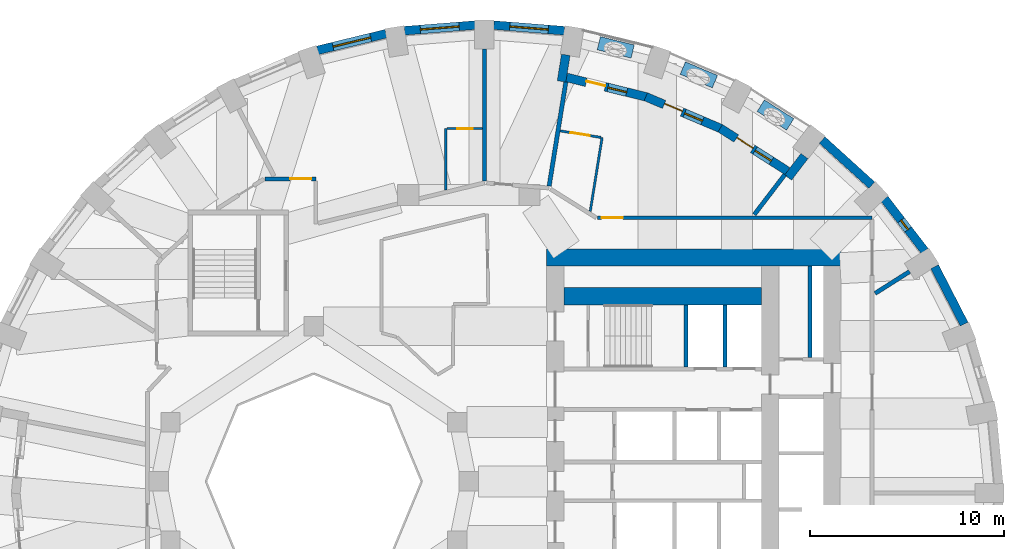
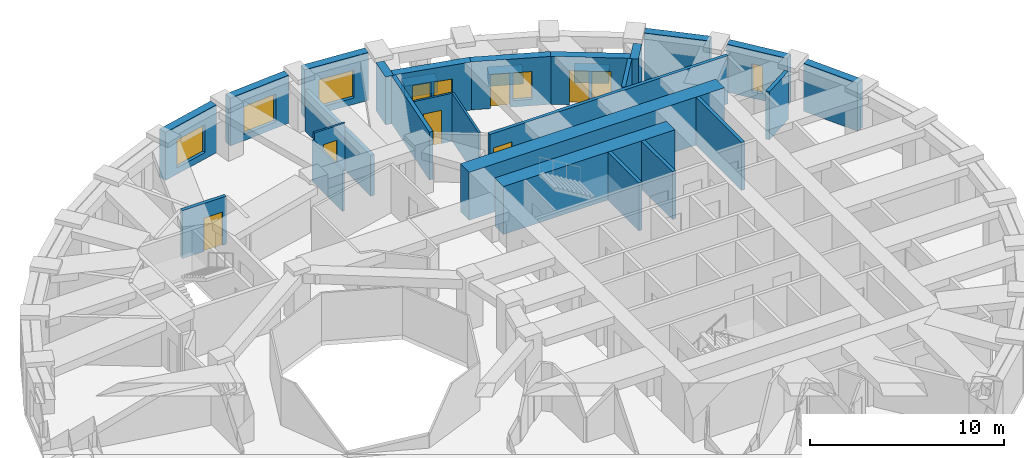
# One storey, part 8 of 12: 29 walls, 7 doors, 7 windows, 14 openings.
"""IFC4 building model written with IfcOpenShell, lengths in metres."""

import ifcopenshell
import ifcopenshell.guid

model = None  # the IFC model being written
_history = None  # IfcOwnerHistory: only IFC2X3 demands one
_inside = {}  # id of a spatial element -> (the spatial element, [elements in it])
_under = {}  # id of a project, library or spatial element -> (it, [spatial elements below it])
_declared = {}  # id of a project -> (the project, [libraries it declares])
_typed = {}  # id of a type object -> (the type object, [elements of that type])
_made_of = {}  # id of a material, layer set ... -> (it, [elements and type objects made of it])


def new_model(schema):
    """Start an empty IFC model of exactly this schema.

    Asked for "IFC4X3", IfcOpenShell would pick the latest addendum, in which some entities
    have other attributes; the version numbers below select the first issue.
    IFC2X3 requires an IfcOwnerHistory on every rooted entity: one is made here for all.
    """
    global model, _history
    if schema == "IFC4X3":
        model = ifcopenshell.file(schema_version=(4, 3, 0, 0))
    else:
        model = ifcopenshell.file(schema=schema)
    _inside.clear()
    _under.clear()
    _declared.clear()
    _typed.clear()
    _made_of.clear()
    _history = None
    if model.schema == "IFC2X3":
        org = make("IfcOrganization", Name="unknown")
        user = make(
            "IfcPersonAndOrganization",
            ThePerson=make("IfcPerson", FamilyName="unknown"),
            TheOrganization=org,
        )
        app = make(
            "IfcApplication",
            ApplicationDeveloper=org,
            Version="unknown",
            ApplicationFullName="unknown",
            ApplicationIdentifier="unknown",
        )
        _history = make(
            "IfcOwnerHistory",
            OwningUser=user,
            OwningApplication=app,
            ChangeAction="ADDED",
            CreationDate=0,
        )
    return model


def make(cls, **values):
    """One entity of the class cls with the attributes given. An attribute that is None is left unset."""
    return model.create_entity(
        cls, **{name: value for name, value in values.items() if value is not None}
    )


def rooted(cls, **values):
    """An entity with a GlobalId (a new one), such as an element, a storey or a relation."""
    return make(cls, GlobalId=ifcopenshell.guid.new(), OwnerHistory=_history, **values)


def si_unit(unit_type, name, prefix=None):
    """IfcSIUnit, for example si_unit("LENGTHUNIT", "METRE", prefix="MILLI")."""
    return make("IfcSIUnit", UnitType=unit_type, Prefix=prefix, Name=name)


def assignment(units):
    """IfcUnitAssignment: the units of a project."""
    return None if units is None else make("IfcUnitAssignment", Units=units)


def point(xyz):
    """IfcCartesianPoint."""
    return None if xyz is None else make("IfcCartesianPoint", Coordinates=xyz)


def direction(xyz):
    """IfcDirection."""
    return None if xyz is None else make("IfcDirection", DirectionRatios=xyz)


def frame(location, z_axis=None, x_axis=None):
    """IfcAxis2Placement3D, a coordinate frame: its origin and axes. An axis left out is left unset."""
    return make(
        "IfcAxis2Placement3D",
        Location=point(location),
        Axis=direction(z_axis),
        RefDirection=direction(x_axis),
    )


def frame_2d(location, x_axis=None):
    """IfcAxis2Placement2D, a coordinate frame in the plane: its origin and x axis."""
    return make(
        "IfcAxis2Placement2D", Location=point(location), RefDirection=direction(x_axis)
    )


def origin():
    """The frame at (0, 0, 0) with its axes left unset."""
    return frame((0.0, 0.0, 0.0))


def place(relative_to, where):
    """IfcLocalPlacement: puts the frame where relative to a parent placement (None: the world)."""
    return make(
        "IfcLocalPlacement", PlacementRelTo=relative_to, RelativePlacement=where
    )


def context(
    kind, dimensions, precision=None, world=None, true_north=None, identifier=None
):
    """IfcGeometricRepresentationContext, for example the 3D "Model" context."""
    return make(
        "IfcGeometricRepresentationContext",
        ContextIdentifier=identifier,
        ContextType=kind,
        CoordinateSpaceDimension=dimensions,
        Precision=precision,
        WorldCoordinateSystem=world,
        TrueNorth=true_north,
    )


def subcontext(parent, identifier, kind, view, scale=None):
    """IfcGeometricRepresentationSubContext, for example "Body" below "Model"."""
    return make(
        "IfcGeometricRepresentationSubContext",
        ContextIdentifier=identifier,
        ContextType=kind,
        ParentContext=parent,
        TargetScale=scale,
        TargetView=view,
    )


def project(units=None, contexts=None):
    """IfcProject with its units and contexts."""
    return rooted(
        "IfcProject",
        Name="project",
        RepresentationContexts=contexts,
        UnitsInContext=assignment(units),
    )


def spatial(cls, under=None, at=None, **own):
    """A site, building, storey or space (cls), placed at a placement, below another one or the project."""
    s = rooted(cls, ObjectPlacement=at, **own)
    if under is not None:
        _under.setdefault(under.id(), (under, []))[1].append(s)
    return s


def profile(cls, at=None, kind="AREA", **sizes):
    """A parametric profile (cls). Its sizes go by their IFC names, for example OverallWidth=200.0."""
    return make(cls, ProfileType=kind, Position=at, **sizes)


def rectangle(**sizes):
    """IfcRectangleProfileDef."""
    return profile("IfcRectangleProfileDef", **sizes)


def extrude(swept, where, along, depth):
    """IfcExtrudedAreaSolid: the profile swept, set in the frame where, extruded along a direction by depth."""
    return make(
        "IfcExtrudedAreaSolid",
        SweptArea=swept,
        Position=where,
        ExtrudedDirection=direction(along),
        Depth=depth,
    )


def shape(context_of_items, identifier, shape_type, items):
    """IfcShapeRepresentation: the items that make up one representation, for example the "Body"."""
    return make(
        "IfcShapeRepresentation",
        ContextOfItems=context_of_items,
        RepresentationIdentifier=identifier,
        RepresentationType=shape_type,
        Items=items,
    )


def material(Name=None, Category=None):
    """IfcMaterial."""
    return make("IfcMaterial", Name=Name, Category=Category)


def layer(
    of_material, thickness, ventilated=None, Name=None, Category=None, Priority=None
):
    """IfcMaterialLayer: one layer of a wall or slab, of a material (None: an air gap)."""
    return make(
        "IfcMaterialLayer",
        Material=of_material,
        LayerThickness=thickness,
        IsVentilated=ventilated,
        Name=Name,
        Category=Category,
        Priority=Priority,
    )


def layer_set(layers, Name=None):
    """IfcMaterialLayerSet."""
    return make("IfcMaterialLayerSet", MaterialLayers=layers, LayerSetName=Name)


def constituent(of_material, Name=None, Category=None, fraction=None):
    """IfcMaterialConstituent: one of the materials an element consists of."""
    return make(
        "IfcMaterialConstituent",
        Name=Name,
        Material=of_material,
        Fraction=fraction,
        Category=Category,
    )


def constituent_set(constituents=None, Name=None):
    """IfcMaterialConstituentSet."""
    return make(
        "IfcMaterialConstituentSet", Name=Name, MaterialConstituents=constituents
    )


def made_of(thing, what):
    """Note that an element or type object is made of a material, layer set ...; save() writes the relation."""
    if what is not None:
        _made_of.setdefault(what.id(), (what, []))[1].append(thing)
    return thing


def type_object(cls, material=None, **own):
    """A type object (cls), such as IfcWallType, which elements share."""
    return made_of(rooted(cls, **own), material)


def element(
    cls,
    number,
    at=None,
    inside=None,
    cuts=None,
    type_object=None,
    material=None,
    context=None,
    identifier="Body",
    shape_type=None,
    held_by="IfcProductDefinitionShape",
    body=None,
    shapes=None,
    **own,
):
    """One element of the class cls, such as IfcWall. Its Tag is "e" and its number.

    at: its placement. inside: the storey or other place that contains it. cuts: it is an
    opening in that element (IfcRelVoidsElement). A single representation is given by context,
    identifier, shape_type and body (its items); several are given by shapes. held_by: the class
    of the entity that holds the representations. save() writes the other relations.
    """
    e = rooted(cls, Tag="e%d" % number, ObjectPlacement=at, **own)
    if body is not None:
        shapes = [shape(context, identifier, shape_type, body)]
    if shapes is not None:
        e.Representation = make(held_by, Representations=shapes)
    if inside is not None:
        _inside.setdefault(inside.id(), (inside, []))[1].append(e)
    if cuts is not None:
        rooted(
            "IfcRelVoidsElement", RelatingBuildingElement=cuts, RelatedOpeningElement=e
        )
    if type_object is not None:
        _typed.setdefault(type_object.id(), (type_object, []))[1].append(e)
    return made_of(e, material)


def fill(opening, filler):
    """IfcRelFillsElement: the door or window that sits in an opening."""
    return rooted(
        "IfcRelFillsElement",
        RelatingOpeningElement=opening,
        RelatedBuildingElement=filler,
    )


def aggregate(whole, parts):
    """IfcRelAggregates: a whole, such as a stair, and the parts it consists of."""
    return rooted("IfcRelAggregates", RelatingObject=whole, RelatedObjects=parts)


def save(model, path):
    """Write the relations noted so far, then the file.

    IfcRelAggregates (storeys below a building ...), IfcRelContainedInSpatialStructure (elements
    in a storey), IfcRelDefinesByType, IfcRelAssociatesMaterial and IfcRelDeclares: one each for
    every whole, place, type object, material and project.
    """
    for whole, parts in _under.values():
        aggregate(whole, parts)
    for where, things in _inside.values():
        rooted(
            "IfcRelContainedInSpatialStructure",
            RelatedElements=things,
            RelatingStructure=where,
        )
    for kind, things in _typed.values():
        rooted("IfcRelDefinesByType", RelatedObjects=things, RelatingType=kind)
    for what, things in _made_of.values():
        rooted("IfcRelAssociatesMaterial", RelatedObjects=things, RelatingMaterial=what)
    for by, libraries in _declared.values():
        rooted("IfcRelDeclares", RelatingContext=by, RelatedDefinitions=libraries)
    model.write(path)


model = new_model("IFC4")

# Units and contexts
model_context = context("Model", 3, precision=1e-05, world=origin(), true_north=direction((0.0, 1.0)))
body_context = subcontext(model_context, "Body", "Model", "MODEL_VIEW")
ifc_project = project(units=[si_unit("LENGTHUNIT", "METRE"), si_unit("AREAUNIT", "SQUARE_METRE"), si_unit("VOLUMEUNIT", "CUBIC_METRE"), si_unit("PLANEANGLEUNIT", "RADIAN"), si_unit("MASSUNIT", "GRAM", prefix="KILO")], contexts=[model_context])

# Site, building, storey
site_placement = place(None, origin())
site = spatial("IfcSite", under=ifc_project, at=site_placement, CompositionType="ELEMENT")
building_placement = place(site_placement, origin())
building = spatial("IfcBuilding", under=site, at=building_placement, Name="Taillehof Tower", CompositionType="ELEMENT")
storey_placement = place(building_placement, frame((0.0, 0.0, 105.39990234375)))
storey = spatial("IfcBuildingStorey", under=building, at=storey_placement, Name="L29", CompositionType="ELEMENT", Elevation=105.39990234375)

# Wall
ifc_material_1 = material(Name="Brick masonry", Category="masonry")
ifc_layer_1 = layer(ifc_material_1, 0.449951171875)
ifc_layer_set_1 = layer_set([ifc_layer_1], Name="Brick infill wall 450")
wall_type_1 = type_object("IfcWallType", Name="Brick infill wall 450", PredefinedType="SOLIDWALL", material=ifc_layer_set_1)
wall_1_placement = place(storey_placement, frame((25.545166015625, 8.1123046875, 0.0), z_axis=(0.0, 0.0, 1.0), x_axis=(-0.456828186229, 0.889554949549, 0.0)))
element("IfcWall", 1, at=wall_1_placement, inside=storey, type_object=wall_type_1, Name="Brick wall L29 bay 3", PredefinedType="SOLIDWALL", context=body_context, shape_type="SweptSolid", body=[
    extrude(rectangle(XDim=3.332763671875, YDim=0.449951171875, at=frame_2d((1.66650390625, 0.0))), origin(), (0.0, 0.0, 1.0), 3.02001953125),
])

# Wall, opening, window
wall_2_placement = place(storey_placement, frame((23.508056640625, 11.887451171875, 0.0), z_axis=(0.0, 0.0, 1.0), x_axis=(-0.610693945156, 0.791866721961, 0.0)))
wall_2 = element("IfcWall", 2, at=wall_2_placement, inside=storey, type_object=wall_type_1, Name="Brick wall L29 bay 4", PredefinedType="SOLIDWALL", context=body_context, shape_type="SweptSolid", body=[
    extrude(rectangle(XDim=3.39453125, YDim=0.449951171875, at=frame_2d((1.697265625, 0.0))), origin(), (0.0, 0.0, 1.0), 3.02001953125),
])
opening_1_placement = place(wall_2_placement, frame((1.397216796875, 0.0, 0.39990234375)))
opening_1 = element("IfcOpeningElement", 3, at=opening_1_placement, cuts=wall_2, Name="Opening W6", PredefinedType="OPENING", context=body_context, shape_type="SweptSolid", body=[
    extrude(rectangle(XDim=0.60009765625, YDim=1.75, at=frame_2d((0.300048828125, 0.875))), frame((0.0, 0.23486328125, 0.0), z_axis=(0.0, -1.0, 0.0), x_axis=(1.0, 0.0, 0.0)), (0.0, 0.0, 1.0), 0.469970703125),
])
ifc_material_2 = material(Name="Aluminium window frame with clear double glazing", Category="aluminium")
window_type_1 = type_object("IfcWindowType", Name="Slot window 600x1750", PartitioningType="SINGLE_PANEL", PredefinedType="WINDOW", material=ifc_material_2)
window_1_placement = place(opening_1_placement, origin())
window_1 = element("IfcWindow", 4, at=window_1_placement, inside=storey, type_object=window_type_1, Name="W6", OverallHeight=1.75, OverallWidth=0.60009765625, PartitioningType="SINGLE_PANEL", PredefinedType="WINDOW", context=body_context, shape_type="SweptSolid", body=[
    extrude(rectangle(XDim=0.60009765625, YDim=1.75, at=frame_2d((0.300048828125, 0.875))), frame((0.0, 0.034912109375, 0.0), z_axis=(0.0, -1.0, 0.0), x_axis=(1.0, 0.0, 0.0)), (0.0, 0.0, 1.0), 0.06005859375),
])
fill(opening_1, window_1)

# Wall
wall_3_placement = place(storey_placement, frame((20.783935546875, 15.281005859375, 0.0), z_axis=(0.0, 0.0, 1.0), x_axis=(-0.74032902847, 0.672244694739, 0.0)))
element("IfcWall", 5, at=wall_3_placement, inside=storey, type_object=wall_type_1, Name="Brick wall L29 bay 5", PredefinedType="SOLIDWALL", context=body_context, shape_type="SweptSolid", body=[
    extrude(rectangle(XDim=3.4638671875, YDim=0.449951171875, at=frame_2d((1.73193359375, 0.0))), origin(), (0.0, 0.0, 1.0), 3.02001953125),
])

# Wall, opening, window
wall_4_placement = place(storey_placement, frame((4.926513671875, 23.24658203125, 0.0), z_axis=(0.0, 0.0, 1.0), x_axis=(-0.996862216754, 0.079156306178, 0.0)))
wall_4 = element("IfcWall", 6, at=wall_4_placement, inside=storey, type_object=wall_type_1, Name="Brick wall L29 bay 9", PredefinedType="SOLIDWALL", context=body_context, shape_type="SweptSolid", body=[
    extrude(rectangle(XDim=3.657958984375, YDim=0.449951171875, at=frame_2d((1.8291015625, 0.0))), origin(), (0.0, 0.0, 1.0), 3.02001953125),
])
opening_2_placement = place(wall_4_placement, frame((0.8291015625, 0.0, 0.39990234375)))
opening_2 = element("IfcOpeningElement", 7, at=opening_2_placement, cuts=wall_4, Name="Opening W2", PredefinedType="OPENING", context=body_context, shape_type="SweptSolid", body=[
    extrude(rectangle(XDim=2.0, YDim=1.75, at=frame_2d((1.0, 0.875))), frame((0.0, 0.23486328125, 0.0), z_axis=(0.0, -1.0, 0.0), x_axis=(1.0, 0.0, 0.0)), (0.0, 0.0, 1.0), 0.469970703125),
])
ifc_material_3 = material(Name="Aluminium window frame with clear double glazing", Category="aluminium")
window_type_2 = type_object("IfcWindowType", Name="Deep-set window 2000x1750", PartitioningType="SINGLE_PANEL", PredefinedType="WINDOW", material=ifc_material_3)
window_2_placement = place(opening_2_placement, origin())
window_2 = element("IfcWindow", 8, at=window_2_placement, inside=storey, type_object=window_type_2, Name="W2", OverallHeight=1.75, OverallWidth=2.0, PartitioningType="SINGLE_PANEL", PredefinedType="WINDOW", context=body_context, shape_type="SweptSolid", body=[
    extrude(rectangle(XDim=2.0, YDim=1.75, at=frame_2d((1.0, 0.875))), frame((0.0, 0.034912109375, 0.0), z_axis=(0.0, -1.0, 0.0), x_axis=(1.0, 0.0, 0.0)), (0.0, 0.0, 1.0), 0.06005859375),
])
fill(opening_2, window_2)

wall_5_placement = place(storey_placement, frame((0.31982421875, 23.5361328125, 0.0), z_axis=(0.0, 0.0, 1.0), x_axis=(-0.996862216754, -0.079156306178, 0.0)))
wall_5 = element("IfcWall", 9, at=wall_5_placement, inside=storey, type_object=wall_type_1, Name="Brick wall L29 bay 10", PredefinedType="SOLIDWALL", context=body_context, shape_type="SweptSolid", body=[
    extrude(rectangle(XDim=3.657958984375, YDim=0.449951171875, at=frame_2d((1.8291015625, 0.0))), origin(), (0.0, 0.0, 1.0), 3.02001953125),
])
opening_3_placement = place(wall_5_placement, frame((0.8291015625, 0.0, 0.39990234375)))
opening_3 = element("IfcOpeningElement", 10, at=opening_3_placement, cuts=wall_5, Name="Opening W2", PredefinedType="OPENING", context=body_context, shape_type="SweptSolid", body=[
    extrude(rectangle(XDim=2.0, YDim=1.75, at=frame_2d((1.0, 0.875))), frame((0.0, 0.23486328125, 0.0), z_axis=(0.0, -1.0, 0.0), x_axis=(1.0, 0.0, 0.0)), (0.0, 0.0, 1.0), 0.469970703125),
])
window_3_placement = place(opening_3_placement, origin())
window_3 = element("IfcWindow", 11, at=window_3_placement, inside=storey, type_object=window_type_2, Name="W2", OverallHeight=1.75, OverallWidth=2.0, PartitioningType="SINGLE_PANEL", PredefinedType="WINDOW", context=body_context, shape_type="SweptSolid", body=[
    extrude(rectangle(XDim=2.0, YDim=1.75, at=frame_2d((1.0, 0.875))), frame((0.0, 0.034912109375, 0.0), z_axis=(0.0, -1.0, 0.0), x_axis=(1.0, 0.0, 0.0)), (0.0, 0.0, 1.0), 0.06005859375),
])
fill(opening_3, window_3)

wall_6_placement = place(storey_placement, frame((-4.274658203125, 23.094482421875, 0.0), z_axis=(0.0, 0.0, 1.0), x_axis=(-0.971667603162, -0.236351579148, 0.0)))
wall_6 = element("IfcWall", 12, at=wall_6_placement, inside=storey, type_object=wall_type_1, Name="Brick wall L29 bay 11", PredefinedType="SOLIDWALL", context=body_context, shape_type="SweptSolid", body=[
    extrude(rectangle(XDim=3.635009765625, YDim=0.449951171875, at=frame_2d((1.8173828125, 0.0))), origin(), (0.0, 0.0, 1.0), 3.02001953125),
])
opening_4_placement = place(wall_6_placement, frame((0.8173828125, 0.0, 0.39990234375)))
opening_4 = element("IfcOpeningElement", 13, at=opening_4_placement, cuts=wall_6, Name="Opening W2", PredefinedType="OPENING", context=body_context, shape_type="SweptSolid", body=[
    extrude(rectangle(XDim=2.0, YDim=1.75, at=frame_2d((1.0, 0.875))), frame((0.0, 0.23486328125, 0.0), z_axis=(0.0, -1.0, 0.0), x_axis=(1.0, 0.0, 0.0)), (0.0, 0.0, 1.0), 0.469970703125),
])
window_4_placement = place(opening_4_placement, origin())
window_4 = element("IfcWindow", 14, at=window_4_placement, inside=storey, type_object=window_type_2, Name="W2", OverallHeight=1.75, OverallWidth=2.0, PartitioningType="SINGLE_PANEL", PredefinedType="WINDOW", context=body_context, shape_type="SweptSolid", body=[
    extrude(rectangle(XDim=2.0, YDim=1.75, at=frame_2d((1.0, 0.875))), frame((0.0, 0.034912109375, 0.0), z_axis=(0.0, -1.0, 0.0), x_axis=(1.0, 0.0, 0.0)), (0.0, 0.0, 1.0), 0.06005859375),
])
fill(opening_4, window_4)

# Walls
wall_7_placement = place(storey_placement, frame((17.3076171875, 16.779541015625, 0.0), z_axis=(0.0, 0.0, 1.0), x_axis=(-0.607137336608, -0.794596913219, 0.0)))
element("IfcWall", 15, at=wall_7_placement, inside=storey, type_object=wall_type_1, Name="Brick reveal L29 pocket 1", PredefinedType="SOLIDWALL", context=body_context, shape_type="SweptSolid", body=[
    extrude(rectangle(XDim=1.390869140625, YDim=0.449951171875, at=frame_2d((0.6953125, 0.0))), origin(), (0.0, 0.0, 1.0), 3.02001953125),
])
wall_8_placement = place(storey_placement, frame((4.9970703125, 22.003662109375, 0.0), z_axis=(0.0, 0.0, 1.0), x_axis=(-0.158613884007, -0.98734068882, 0.0)))
element("IfcWall", 16, at=wall_8_placement, inside=storey, type_object=wall_type_1, Name="Brick reveal L29 pocket 1", PredefinedType="SOLIDWALL", context=body_context, shape_type="SweptSolid", body=[
    extrude(rectangle(XDim=1.389892578125, YDim=0.449951171875, at=frame_2d((0.69482421875, 0.0))), origin(), (0.0, 0.0, 1.0), 3.02001953125),
])

# Wall, openings, door, window
wall_9_placement = place(storey_placement, frame((16.4326171875, 16.0048828125, 0.0), z_axis=(0.0, 0.0, 1.0), x_axis=(-0.843265516514, 0.537497226651, 0.0)))
wall_9 = element("IfcWall", 17, at=wall_9_placement, inside=storey, type_object=wall_type_1, Name="Brick wall L29 pocket bay 6", PredefinedType="SOLIDWALL", context=body_context, shape_type="SweptSolid", body=[
    extrude(rectangle(XDim=4.115234375, YDim=0.449951171875, at=frame_2d((2.0576171875, 0.0))), origin(), (0.0, 0.0, 1.0), 3.02001953125),
])
opening_5_placement = place(wall_9_placement, frame((0.982666015625, 0.0, 0.39990234375)))
opening_5 = element("IfcOpeningElement", 18, at=opening_5_placement, cuts=wall_9, Name="Opening W5", PredefinedType="OPENING", context=body_context, shape_type="SweptSolid", body=[
    extrude(rectangle(XDim=1.0, YDim=1.75, at=frame_2d((0.5, 0.875))), frame((0.0, 0.23486328125, 0.0), z_axis=(0.0, -1.0, 0.0), x_axis=(1.0, 0.0, 0.0)), (0.0, 0.0, 1.0), 0.469970703125),
])
opening_6_placement = place(wall_9_placement, frame((2.132568359375, 0.0, 0.0)))
opening_6 = element("IfcOpeningElement", 19, at=opening_6_placement, cuts=wall_9, Name="Opening D2991", PredefinedType="OPENING", context=body_context, shape_type="SweptSolid", body=[
    extrude(rectangle(XDim=1.0, YDim=2.14990234375, at=frame_2d((0.5, 1.074951171875))), frame((0.0, 0.23486328125, 0.0), z_axis=(0.0, -1.0, 0.0), x_axis=(1.0, 0.0, 0.0)), (0.0, 0.0, 1.0), 0.469970703125),
])
ifc_material_4 = material(Name="Aluminium door frame with clear double glazing", Category="aluminium")
door_type_1 = type_object("IfcDoorType", Name="Balcony door 1000x2150", OperationType="SINGLE_SWING_RIGHT", PredefinedType="DOOR", material=ifc_material_4)
door_1_placement = place(opening_6_placement, frame((1.0, 0.0, 0.0), z_axis=(0.0, 0.0, 1.0), x_axis=(-1.0, 0.0, 0.0)))
door_1 = element("IfcDoor", 20, at=door_1_placement, inside=storey, type_object=door_type_1, Name="Balcony door L29 bay 6", OperationType="SINGLE_SWING_RIGHT", OverallHeight=2.14990234375, OverallWidth=1.0, PredefinedType="DOOR", context=body_context, shape_type="SweptSolid", body=[
    extrude(rectangle(XDim=1.0, YDim=2.14990234375, at=frame_2d((0.5, 1.074951171875))), frame((0.0, 0.0751953125, 0.0), z_axis=(0.0, -1.0, 0.0), x_axis=(1.0, 0.0, 0.0)), (0.0, 0.0, 1.0), 0.050048828125),
])
fill(opening_6, door_1)
ifc_material_5 = material(Name="Aluminium window frame with clear double glazing", Category="aluminium")
window_type_3 = type_object("IfcWindowType", Name="Fixed window 1000x1750", PartitioningType="SINGLE_PANEL", PredefinedType="WINDOW", material=ifc_material_5)
window_5_placement = place(opening_5_placement, origin())
window_5 = element("IfcWindow", 21, at=window_5_placement, inside=storey, type_object=window_type_3, Name="W5", OverallHeight=1.75, OverallWidth=1.0, PartitioningType="SINGLE_PANEL", PredefinedType="WINDOW", context=body_context, shape_type="SweptSolid", body=[
    extrude(rectangle(XDim=1.0, YDim=1.75, at=frame_2d((0.5, 0.875))), frame((0.0, 0.034912109375, 0.0), z_axis=(0.0, -1.0, 0.0), x_axis=(1.0, 0.0, 0.0)), (0.0, 0.0, 1.0), 0.06005859375),
])
fill(opening_5, window_5)

wall_10_placement = place(storey_placement, frame((12.995361328125, 18.199462890625, 0.0), z_axis=(0.0, 0.0, 1.0), x_axis=(-0.920487538818, 0.3907719167, 0.0)))
wall_10 = element("IfcWall", 22, at=wall_10_placement, inside=storey, type_object=wall_type_1, Name="Brick wall L29 pocket bay 7", PredefinedType="SOLIDWALL", context=body_context, shape_type="SweptSolid", body=[
    extrude(rectangle(XDim=4.20654296875, YDim=0.449951171875, at=frame_2d((2.103271484375, 0.0))), origin(), (0.0, 0.0, 1.0), 3.02001953125),
])
opening_7_placement = place(wall_10_placement, frame((1.0283203125, 0.0, 0.39990234375)))
opening_7 = element("IfcOpeningElement", 23, at=opening_7_placement, cuts=wall_10, Name="Opening W5", PredefinedType="OPENING", context=body_context, shape_type="SweptSolid", body=[
    extrude(rectangle(XDim=1.0, YDim=1.75, at=frame_2d((0.5, 0.875))), frame((0.0, 0.23486328125, 0.0), z_axis=(0.0, -1.0, 0.0), x_axis=(1.0, 0.0, 0.0)), (0.0, 0.0, 1.0), 0.469970703125),
])
opening_8_placement = place(wall_10_placement, frame((2.17822265625, 0.0, 0.0)))
opening_8 = element("IfcOpeningElement", 24, at=opening_8_placement, cuts=wall_10, Name="Opening D2992", PredefinedType="OPENING", context=body_context, shape_type="SweptSolid", body=[
    extrude(rectangle(XDim=1.0, YDim=2.14990234375, at=frame_2d((0.5, 1.074951171875))), frame((0.0, 0.23486328125, 0.0), z_axis=(0.0, -1.0, 0.0), x_axis=(1.0, 0.0, 0.0)), (0.0, 0.0, 1.0), 0.469970703125),
])
door_2_placement = place(opening_8_placement, frame((1.0, 0.0, 0.0), z_axis=(0.0, 0.0, 1.0), x_axis=(-1.0, 0.0, 0.0)))
door_2 = element("IfcDoor", 25, at=door_2_placement, inside=storey, type_object=door_type_1, Name="Balcony door L29 bay 7", OperationType="SINGLE_SWING_LEFT", OverallHeight=2.14990234375, OverallWidth=1.0, PredefinedType="DOOR", context=body_context, shape_type="SweptSolid", body=[
    extrude(rectangle(XDim=1.0, YDim=2.14990234375, at=frame_2d((0.5, 1.074951171875))), frame((0.0, 0.0751953125, 0.0), z_axis=(0.0, -1.0, 0.0), x_axis=(1.0, 0.0, 0.0)), (0.0, 0.0, 1.0), 0.050048828125),
])
fill(opening_8, door_2)
window_6_placement = place(opening_7_placement, origin())
window_6 = element("IfcWindow", 26, at=window_6_placement, inside=storey, type_object=window_type_3, Name="W5", OverallHeight=1.75, OverallWidth=1.0, PartitioningType="SINGLE_PANEL", PredefinedType="WINDOW", context=body_context, shape_type="SweptSolid", body=[
    extrude(rectangle(XDim=1.0, YDim=1.75, at=frame_2d((0.5, 0.875))), frame((0.0, 0.034912109375, 0.0), z_axis=(0.0, -1.0, 0.0), x_axis=(1.0, 0.0, 0.0)), (0.0, 0.0, 1.0), 0.06005859375),
])
fill(opening_7, window_6)

wall_11_placement = place(storey_placement, frame((9.157958984375, 19.831787109375, 0.0), z_axis=(0.0, 0.0, 1.0), x_axis=(-0.97152486365, 0.236937627468, 0.0)))
wall_11 = element("IfcWall", 27, at=wall_11_placement, inside=storey, type_object=wall_type_1, Name="Brick wall L29 pocket bay 8", PredefinedType="SOLIDWALL", context=body_context, shape_type="SweptSolid", body=[
    extrude(rectangle(XDim=4.2412109375, YDim=0.449951171875, at=frame_2d((2.12060546875, 0.0))), origin(), (0.0, 0.0, 1.0), 3.02001953125),
])
opening_9_placement = place(wall_11_placement, frame((1.045654296875, 0.0, 0.39990234375)))
opening_9 = element("IfcOpeningElement", 28, at=opening_9_placement, cuts=wall_11, Name="Opening W5", PredefinedType="OPENING", context=body_context, shape_type="SweptSolid", body=[
    extrude(rectangle(XDim=1.0, YDim=1.75, at=frame_2d((0.5, 0.875))), frame((0.0, 0.23486328125, 0.0), z_axis=(0.0, -1.0, 0.0), x_axis=(1.0, 0.0, 0.0)), (0.0, 0.0, 1.0), 0.469970703125),
])
opening_10_placement = place(wall_11_placement, frame((2.195556640625, 0.0, 0.0)))
opening_10 = element("IfcOpeningElement", 29, at=opening_10_placement, cuts=wall_11, Name="Opening D2993", PredefinedType="OPENING", context=body_context, shape_type="SweptSolid", body=[
    extrude(rectangle(XDim=1.0, YDim=2.14990234375, at=frame_2d((0.5, 1.074951171875))), frame((0.0, 0.23486328125, 0.0), z_axis=(0.0, -1.0, 0.0), x_axis=(1.0, 0.0, 0.0)), (0.0, 0.0, 1.0), 0.469970703125),
])
door_3_placement = place(opening_10_placement, frame((1.0, 0.0, 0.0), z_axis=(0.0, 0.0, 1.0), x_axis=(-1.0, 0.0, 0.0)))
door_3 = element("IfcDoor", 30, at=door_3_placement, inside=storey, type_object=door_type_1, Name="Balcony door L29 bay 8", OperationType="SINGLE_SWING_LEFT", OverallHeight=2.14990234375, OverallWidth=1.0, PredefinedType="DOOR", context=body_context, shape_type="SweptSolid", body=[
    extrude(rectangle(XDim=1.0, YDim=2.14990234375, at=frame_2d((0.5, 1.074951171875))), frame((0.0, 0.0751953125, 0.0), z_axis=(0.0, -1.0, 0.0), x_axis=(1.0, 0.0, 0.0)), (0.0, 0.0, 1.0), 0.050048828125),
])
fill(opening_10, door_3)
window_7_placement = place(opening_9_placement, origin())
window_7 = element("IfcWindow", 31, at=window_7_placement, inside=storey, type_object=window_type_3, Name="W5", OverallHeight=1.75, OverallWidth=1.0, PartitioningType="SINGLE_PANEL", PredefinedType="WINDOW", context=body_context, shape_type="SweptSolid", body=[
    extrude(rectangle(XDim=1.0, YDim=1.75, at=frame_2d((0.5, 0.875))), frame((0.0, 0.034912109375, 0.0), z_axis=(0.0, -1.0, 0.0), x_axis=(1.0, 0.0, 0.0)), (0.0, 0.0, 1.0), 0.06005859375),
])
fill(opening_9, window_7)

# Wall
ifc_material_6 = material(Name="Calcium silicate masonry", Category="masonry")
ifc_layer_2 = layer(ifc_material_6, 0.199951171875)
ifc_layer_set_2 = layer_set([ifc_layer_2], Name="Compartment wall calcium silicate 200")
wall_type_2 = type_object("IfcWallType", Name="Compartment wall calcium silicate 200", PredefinedType="PARTITIONING", material=ifc_layer_set_2)
wall_12_placement = place(storey_placement, frame((17.60009765625, 6.39990234375, 0.0), z_axis=(0.0, 0.0, 1.0), x_axis=(0.0, 1.0, 0.0)))
element("IfcWall", 32, at=wall_12_placement, inside=storey, type_object=wall_type_2, Name="Compartment wall FW", PredefinedType="PARTITIONING", context=body_context, shape_type="SweptSolid", body=[
    extrude(rectangle(XDim=4.7001953125, YDim=0.199951171875, at=frame_2d((2.35009765625, 0.0))), origin(), (0.0, 0.0, 1.0), 3.02001953125),
])

# Wall, opening, door
ifc_material_7 = material(Name="Gypsum board on steel studs, two layers each side", Category="steel")
ifc_layer_3 = layer(ifc_material_7, 0.199951171875)
ifc_layer_set_3 = layer_set([ifc_layer_3], Name="Compartment wall corridor 200")
wall_type_3 = type_object("IfcWallType", Name="Compartment wall corridor 200", PredefinedType="PARTITIONING", material=ifc_layer_set_3)
wall_13_placement = place(storey_placement, frame((-10.508544921875, 15.60009765625, 0.0), z_axis=(0.0, 0.0, 1.0), x_axis=(1.0, 0.0, 0.0)))
wall_13 = element("IfcWall", 33, at=wall_13_placement, inside=storey, type_object=wall_type_3, Name="Compartment wall", PredefinedType="PARTITIONING", context=body_context, shape_type="SweptSolid", body=[
    extrude(rectangle(XDim=2.608642578125, YDim=0.199951171875, at=frame_2d((1.30419921875, 0.0))), origin(), (0.0, 0.0, 1.0), 3.02001953125),
])
opening_11_placement = place(wall_13_placement, frame((1.28857421875, 0.0, 0.0)))
opening_11 = element("IfcOpeningElement", 34, at=opening_11_placement, cuts=wall_13, Name="Opening D2943", PredefinedType="OPENING", context=body_context, shape_type="SweptSolid", body=[
    extrude(rectangle(XDim=1.10009765625, YDim=2.10009765625, at=frame_2d((0.550048828125, 1.050048828125))), frame((0.0, 0.10986328125, 0.0), z_axis=(0.0, -1.0, 0.0), x_axis=(1.0, 0.0, 0.0)), (0.0, 0.0, 1.0), 0.219970703125),
])
ifc_material_8 = material(Name="Timber door leaf in steel frame", Category="steel")
door_type_2 = type_object("IfcDoorType", Name="Suite entrance door EI 30 1100 x 2100", OperationType="SINGLE_SWING_LEFT", PredefinedType="DOOR", material=ifc_material_8)
door_4_placement = place(opening_11_placement, origin())
door_4 = element("IfcDoor", 35, at=door_4_placement, inside=storey, type_object=door_type_2, Name="D2943", OperationType="SINGLE_SWING_LEFT", OverallHeight=2.10009765625, OverallWidth=1.10009765625, PredefinedType="DOOR", context=body_context, shape_type="SweptSolid", body=[
    extrude(rectangle(XDim=1.10009765625, YDim=2.10009765625, at=frame_2d((0.550048828125, 1.050048828125))), frame((0.0, 0.02490234375, 0.0), z_axis=(0.0, -1.0, 0.0), x_axis=(1.0, 0.0, 0.0)), (0.0, 0.0, 1.0), 0.050048828125),
])
fill(opening_11, door_4)

wall_14_placement = place(storey_placement, frame((6.62744140625, 13.60009765625, 0.0), z_axis=(0.0, 0.0, 1.0), x_axis=(1.0, 0.0, 0.0)))
wall_14 = element("IfcWall", 36, at=wall_14_placement, inside=storey, type_object=wall_type_3, Name="Compartment wall", PredefinedType="PARTITIONING", context=body_context, shape_type="SweptSolid", body=[
    extrude(rectangle(XDim=14.172607421875, YDim=0.199951171875, at=frame_2d((7.08642578125, 0.0))), origin(), (0.0, 0.0, 1.0), 3.02001953125),
])
opening_12_placement = place(wall_14_placement, frame((0.219970703125, 0.0, 0.0)))
opening_12 = element("IfcOpeningElement", 37, at=opening_12_placement, cuts=wall_14, Name="Opening D2940", PredefinedType="OPENING", context=body_context, shape_type="SweptSolid", body=[
    extrude(rectangle(XDim=1.10009765625, YDim=2.10009765625, at=frame_2d((0.550048828125, 1.050048828125))), frame((0.0, 0.10986328125, 0.0), z_axis=(0.0, -1.0, 0.0), x_axis=(1.0, 0.0, 0.0)), (0.0, 0.0, 1.0), 0.219970703125),
])
ifc_material_9 = material(Name="Timber door leaf in steel frame", Category="steel")
door_type_3 = type_object("IfcDoorType", Name="Accessible guest room door EI 30 1100 x 2100", OperationType="SINGLE_SWING_LEFT", PredefinedType="DOOR", material=ifc_material_9)
door_5_placement = place(opening_12_placement, origin())
door_5 = element("IfcDoor", 38, at=door_5_placement, inside=storey, type_object=door_type_3, Name="D2940", OperationType="SINGLE_SWING_LEFT", OverallHeight=2.10009765625, OverallWidth=1.10009765625, PredefinedType="DOOR", context=body_context, shape_type="SweptSolid", body=[
    extrude(rectangle(XDim=1.10009765625, YDim=2.10009765625, at=frame_2d((0.550048828125, 1.050048828125))), frame((0.0, 0.02490234375, 0.0), z_axis=(0.0, -1.0, 0.0), x_axis=(1.0, 0.0, 0.0)), (0.0, 0.0, 1.0), 0.050048828125),
])
fill(opening_12, door_5)

# Walls
ifc_material_10 = material(Name="Gypsum board on double steel studs with mineral wool", Category="steel")
ifc_layer_4 = layer(ifc_material_10, 0.219970703125)
ifc_layer_set_4 = layer_set([ifc_layer_4], Name="Compartment wall guest room 220")
wall_type_4 = type_object("IfcWallType", Name="Compartment wall guest room 220", PredefinedType="PARTITIONING", material=ifc_layer_set_4)
wall_15_placement = place(storey_placement, frame((22.7265625, 10.8232421875, 0.0), z_axis=(0.0, 0.0, 1.0), x_axis=(-0.844549560094, -0.53547739499, 0.0)))
element("IfcWall", 39, at=wall_15_placement, inside=storey, type_object=wall_type_4, Name="Compartment wall", PredefinedType="PARTITIONING", context=body_context, shape_type="SweptSolid", body=[
    extrude(rectangle(XDim=2.102783203125, YDim=0.219970703125, at=frame_2d((1.05126953125, 0.0))), origin(), (0.0, 0.0, 1.0), 3.02001953125),
])
wall_16_placement = place(storey_placement, frame((16.295654296875, 15.825439453125, 0.0), z_axis=(0.0, 0.0, 1.0), x_axis=(-0.607037876857, -0.794672898784, 0.0)))
element("IfcWall", 40, at=wall_16_placement, inside=storey, type_object=wall_type_4, Name="Compartment wall", PredefinedType="PARTITIONING", context=body_context, shape_type="SweptSolid", body=[
    extrude(rectangle(XDim=2.594482421875, YDim=0.219970703125, at=frame_2d((1.29736328125, 0.0))), origin(), (0.0, 0.0, 1.0), 3.02001953125),
])
wall_17_placement = place(storey_placement, frame((5.001708984375, 20.614013671875, 0.0), z_axis=(0.0, 0.0, 1.0), x_axis=(-0.158488550192, -0.987360815233, 0.0)))
element("IfcWall", 41, at=wall_17_placement, inside=storey, type_object=wall_type_4, Name="Compartment wall", PredefinedType="PARTITIONING", context=body_context, shape_type="SweptSolid", body=[
    extrude(rectangle(XDim=5.448486328125, YDim=0.219970703125, at=frame_2d((2.72412109375, 0.0))), origin(), (0.0, 0.0, 1.0), 3.02001953125),
])
wall_18_placement = place(storey_placement, frame((0.800048828125, 22.300048828125, 0.0), z_axis=(0.0, 0.0, 1.0), x_axis=(0.0, -1.0, 0.0)))
element("IfcWall", 42, at=wall_18_placement, inside=storey, type_object=wall_type_4, Name="Compartment wall", PredefinedType="PARTITIONING", context=body_context, shape_type="SweptSolid", body=[
    extrude(rectangle(XDim=6.800048828125, YDim=0.219970703125, at=frame_2d((3.39990234375, 0.0))), origin(), (0.0, 0.0, 1.0), 2.570068359375),
])
ifc_material_11 = material(Name="Concrete C80/95", Category="concrete")
ifc_layer_5 = layer(ifc_material_11, 0.89990234375)
ifc_layer_set_5 = layer_set([ifc_layer_5], Name="Core wall C80/95 900")
wall_type_5 = type_object("IfcWallType", Name="Core wall C80/95 900", PredefinedType="SHEAR", material=ifc_layer_set_5)
wall_19_placement = place(storey_placement, frame((4.0, 11.550048828125, 0.0), z_axis=(0.0, 0.0, 1.0), x_axis=(1.0, 0.0, 0.0)))
element("IfcWall", 43, at=wall_19_placement, inside=storey, type_object=wall_type_5, Name="Core wall CW03", PredefinedType="SHEAR", context=body_context, shape_type="SweptSolid", body=[
    extrude(rectangle(XDim=15.199951171875, YDim=0.89990234375, at=frame_2d((7.60009765625, 0.0))), origin(), (0.0, 0.0, 1.0), 3.02001953125),
])
wall_20_placement = place(storey_placement, frame((4.89990234375, 9.550048828125, 0.0), z_axis=(0.0, 0.0, 1.0), x_axis=(1.0, 0.0, 0.0)))
element("IfcWall", 44, at=wall_20_placement, inside=storey, type_object=wall_type_5, Name="Core wall CW06", PredefinedType="SHEAR", context=body_context, shape_type="SweptSolid", body=[
    extrude(rectangle(XDim=10.2001953125, YDim=0.89990234375, at=frame_2d((5.10009765625, 0.0))), origin(), (0.0, 0.0, 1.0), 3.02001953125),
])
ifc_material_12 = material(Name="Gypsum board on steel studs, moisture resistant", Category="steel")
ifc_layer_6 = layer(ifc_material_12, 0.1201171875)
ifc_layer_set_6 = layer_set([ifc_layer_6], Name="En-suite wall 120")
wall_type_6 = type_object("IfcWallType", Name="En-suite wall 120", PredefinedType="PARTITIONING", material=ifc_layer_set_6)
wall_21_placement = place(storey_placement, frame((6.2587890625, 13.93359375, 0.0), z_axis=(0.0, 0.0, 1.0), x_axis=(0.158490335471, 0.987360528663, 0.0)))
element("IfcWall", 45, at=wall_21_placement, inside=storey, type_object=wall_type_6, Name="En-suite wall", PredefinedType="PARTITIONING", context=body_context, shape_type="SweptSolid", body=[
    extrude(rectangle(XDim=3.847900390625, YDim=0.1201171875, at=frame_2d((1.923828125, 0.0))), origin(), (0.0, 0.0, 1.0), 3.02001953125),
])
wall_22_placement = place(storey_placement, frame((-1.199951171875, 15.037353515625, 0.0), z_axis=(0.0, 0.0, 1.0), x_axis=(0.0, 1.0, 0.0)))
element("IfcWall", 46, at=wall_22_placement, inside=storey, type_object=wall_type_6, Name="En-suite wall", PredefinedType="PARTITIONING", context=body_context, shape_type="SweptSolid", body=[
    extrude(rectangle(XDim=3.16259765625, YDim=0.1201171875, at=frame_2d((1.581298828125, 0.0))), origin(), (0.0, 0.0, 1.0), 2.570068359375),
])

# Wall, opening, door
wall_23_placement = place(storey_placement, frame((6.809326171875, 17.742431640625, 0.0), z_axis=(0.0, 0.0, 1.0), x_axis=(-0.987337424941, 0.158634199689, 0.0)))
wall_23 = element("IfcWall", 47, at=wall_23_placement, inside=storey, type_object=wall_type_6, Name="En-suite wall", PredefinedType="PARTITIONING", context=body_context, shape_type="SweptSolid", body=[
    extrude(rectangle(XDim=2.1298828125, YDim=0.1201171875, at=frame_2d((1.06494140625, 0.0))), origin(), (0.0, 0.0, 1.0), 3.02001953125),
])
opening_13_placement = place(wall_23_placement, frame((0.58984375, 0.0, 0.0)))
opening_13 = element("IfcOpeningElement", 48, at=opening_13_placement, cuts=wall_23, Name="Opening D2941", PredefinedType="OPENING", context=body_context, shape_type="SweptSolid", body=[
    extrude(rectangle(XDim=1.0, YDim=2.10009765625, at=frame_2d((0.5, 1.050048828125))), frame((0.0, 0.070068359375, 0.0), z_axis=(0.0, -1.0, 0.0), x_axis=(1.0, 0.0, 0.0)), (0.0, 0.0, 1.0), 0.14013671875),
])
ifc_material_13 = material(Name="Timber door leaf in steel frame", Category="steel")
door_type_4 = type_object("IfcDoorType", Name="Accessible en-suite door 1000 x 2100", OperationType="SINGLE_SWING_LEFT", PredefinedType="DOOR", material=ifc_material_13)
door_6_placement = place(opening_13_placement, origin())
door_6 = element("IfcDoor", 49, at=door_6_placement, inside=storey, type_object=door_type_4, Name="D2941", OperationType="SINGLE_SWING_LEFT", OverallHeight=2.10009765625, OverallWidth=1.0, PredefinedType="DOOR", context=body_context, shape_type="SweptSolid", body=[
    extrude(rectangle(XDim=1.0, YDim=2.10009765625, at=frame_2d((0.5, 1.050048828125))), frame((0.0, 0.02490234375, 0.0), z_axis=(0.0, -1.0, 0.0), x_axis=(1.0, 0.0, 0.0)), (0.0, 0.0, 1.0), 0.050048828125),
])
fill(opening_13, door_6)

wall_24_placement = place(storey_placement, frame((-1.139892578125, 18.199951171875, 0.0), z_axis=(0.0, 0.0, 1.0), x_axis=(1.0, 0.0, 0.0)))
wall_24 = element("IfcWall", 50, at=wall_24_placement, inside=storey, type_object=wall_type_6, Name="En-suite wall", PredefinedType="PARTITIONING", context=body_context, shape_type="SweptSolid", body=[
    extrude(rectangle(XDim=1.829833984375, YDim=0.1201171875, at=frame_2d((0.9150390625, 0.0))), origin(), (0.0, 0.0, 1.0), 3.02001953125),
])
opening_14_placement = place(wall_24_placement, frame((0.539794921875, 0.0, 0.0)))
opening_14 = element("IfcOpeningElement", 51, at=opening_14_placement, cuts=wall_24, Name="Opening D2944", PredefinedType="OPENING", context=body_context, shape_type="SweptSolid", body=[
    extrude(rectangle(XDim=0.800048828125, YDim=2.10009765625, at=frame_2d((0.39990234375, 1.050048828125))), frame((0.0, 0.070068359375, 0.0), z_axis=(0.0, -1.0, 0.0), x_axis=(1.0, 0.0, 0.0)), (0.0, 0.0, 1.0), 0.14013671875),
])
ifc_material_14 = material(Name="Timber door leaf in steel frame", Category="steel")
door_type_5 = type_object("IfcDoorType", Name="En-suite door 800 x 2100", OperationType="SINGLE_SWING_LEFT", PredefinedType="DOOR", material=ifc_material_14)
door_7_placement = place(opening_14_placement, origin())
door_7 = element("IfcDoor", 52, at=door_7_placement, inside=storey, type_object=door_type_5, Name="D2944", OperationType="SINGLE_SWING_LEFT", OverallHeight=2.10009765625, OverallWidth=0.800048828125, PredefinedType="DOOR", context=body_context, shape_type="SweptSolid", body=[
    extrude(rectangle(XDim=0.800048828125, YDim=2.10009765625, at=frame_2d((0.39990234375, 1.050048828125))), frame((0.0, 0.02490234375, 0.0), z_axis=(0.0, -1.0, 0.0), x_axis=(1.0, 0.0, 0.0)), (0.0, 0.0, 1.0), 0.050048828125),
])
fill(opening_14, door_7)

# Walls
ifc_material_15 = material(Name="Concrete C30/37 precast", Category="concrete")
ifc_constituent_1 = constituent(ifc_material_15, Name="Structure", Category="concrete")
ifc_material_16 = material(Name="Insulated lining")
ifc_constituent_2 = constituent(ifc_material_16, Name="Lining")
ifc_constituent_set = constituent_set(constituents=[ifc_constituent_1, ifc_constituent_2], Name="Planter trough 700x750")
wall_type_7 = type_object("IfcWallType", Name="Planter trough 700x750", PredefinedType="USERDEFINED", material=ifc_constituent_set)
wall_25_placement = place(storey_placement, frame((16.57275390625, 18.416015625, 0.0), z_axis=(0.0, 0.0, 1.0), x_axis=(-0.843873638802, 0.536541966425, 0.0)))
element("IfcWall", 53, at=wall_25_placement, inside=storey, type_object=wall_type_7, Name="Planter L29 bay 6", ObjectType="PLANTER", PredefinedType="USERDEFINED", context=body_context, shape_type="SweptSolid", body=[
    extrude(rectangle(XDim=1.800048828125, YDim=0.699951171875, at=frame_2d((0.89990234375, 0.0))), origin(), (0.0, 0.0, 1.0), 0.75),
])
wall_26_placement = place(storey_placement, frame((12.689453125, 20.6201171875, 0.0), z_axis=(0.0, 0.0, 1.0), x_axis=(-0.920882984274, 0.389839106909, 0.0)))
element("IfcWall", 54, at=wall_26_placement, inside=storey, type_object=wall_type_7, Name="Planter L29 bay 7", ObjectType="PLANTER", PredefinedType="USERDEFINED", context=body_context, shape_type="SweptSolid", body=[
    extrude(rectangle(XDim=1.7998046875, YDim=0.699951171875, at=frame_2d((0.89990234375, 0.0))), origin(), (0.0, 0.0, 1.0), 0.75),
])
wall_27_placement = place(storey_placement, frame((8.44775390625, 22.175048828125, 0.0), z_axis=(0.0, 0.0, 1.0), x_axis=(-0.971654974133, 0.23640349245, 0.0)))
element("IfcWall", 55, at=wall_27_placement, inside=storey, type_object=wall_type_7, Name="Planter L29 bay 8", ObjectType="PLANTER", PredefinedType="USERDEFINED", context=body_context, shape_type="SweptSolid", body=[
    extrude(rectangle(XDim=1.800048828125, YDim=0.699951171875, at=frame_2d((0.89990234375, 0.0))), origin(), (0.0, 0.0, 1.0), 0.75),
])
ifc_material_17 = material(Name="Concrete C50/60", Category="concrete")
ifc_layer_7 = layer(ifc_material_17, 0.199951171875)
ifc_layer_set_7 = layer_set([ifc_layer_7], Name="Shaft wall C50/60 200")
wall_type_8 = type_object("IfcWallType", Name="Shaft wall C50/60 200", PredefinedType="SHEAR", material=ifc_layer_set_7)
for number, where, z_axis, x_axis, name in (
    (56, (11.199951171875, 5.89990234375, 0.0), (0.0, 0.0, 1.0), (0.0, 1.0, 0.0), "Shaft wall SW"),
    (57, (13.199951171875, 5.89990234375, 0.0), (0.0, 0.0, 1.0), (0.0, 1.0, 0.0), "Shaft wall SW"),
):
    element("IfcWall", number, at=place(storey_placement, frame(where, z_axis=z_axis, x_axis=x_axis)), inside=storey, type_object=wall_type_8, Name=name, PredefinedType="SHEAR", context=body_context, shape_type="SweptSolid", body=[
        extrude(rectangle(XDim=3.2001953125, YDim=0.199951171875, at=frame_2d((1.60009765625, 0.0))), origin(), (0.0, 0.0, 1.0), 3.02001953125),
    ])

save(model, "model.ifc")
